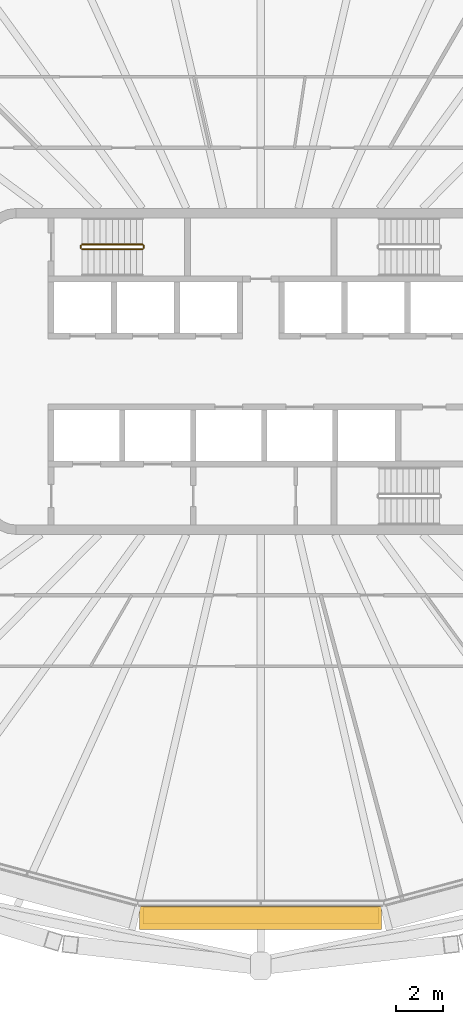
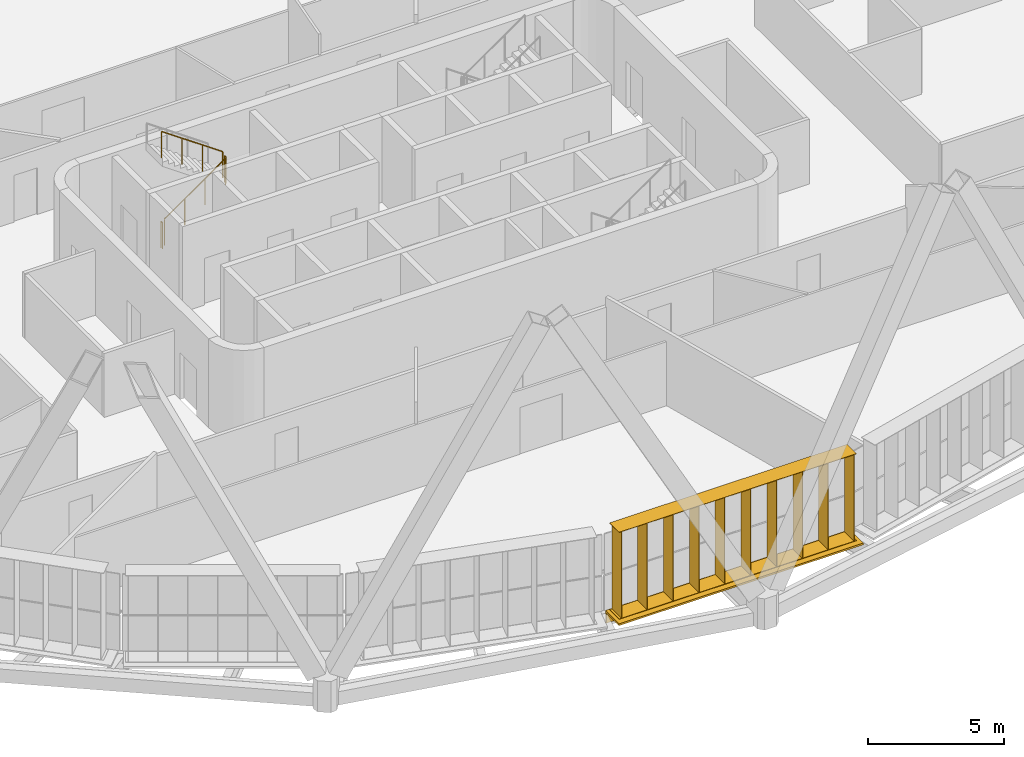
# One storey, part 19 of 23: 4 railings, 2 shading devices.
"""IFC4 building model written with IfcOpenShell, lengths in metres."""

from ifc_helpers import new_model, si_unit, direction, frame, origin, origin_2d, place, context, subcontext, project, spatial, rectangle, circle, extrude, material, type_object, element, save


model = new_model("IFC4")

# Units and contexts
model_context = context("Model", 3, precision=1e-05, world=origin(), true_north=direction((0.0, 1.0)))
body_context = subcontext(model_context, "Body", "Model", "MODEL_VIEW")
ifc_project = project(units=[si_unit("LENGTHUNIT", "METRE"), si_unit("AREAUNIT", "SQUARE_METRE"), si_unit("VOLUMEUNIT", "CUBIC_METRE"), si_unit("PLANEANGLEUNIT", "RADIAN"), si_unit("MASSUNIT", "GRAM", prefix="KILO")], contexts=[model_context])

# Site, building, storey
site_placement = place(None, origin())
site = spatial("IfcSite", under=ifc_project, at=site_placement, CompositionType="ELEMENT")
building_placement = place(site_placement, origin())
building = spatial("IfcBuilding", under=site, at=building_placement, Name="Sahrelin Media Tower", CompositionType="ELEMENT")
storey_placement = place(building_placement, frame((0.0, 0.0, 217.60009765625)))
storey = spatial("IfcBuildingStorey", under=building, at=storey_placement, Name="L46", CompositionType="ELEMENT", Elevation=217.60009765625)

# Shading device
ifc_material_1 = material(Name="Champagne anodised aluminium 6063-T6", Category="aluminium")
shading_device_type_1 = type_object("IfcShadingDeviceType", Name="Fin cassette", PredefinedType="USERDEFINED", material=ifc_material_1)
placement = place(storey_placement, frame((0.0, -22.9521484375, 0.0), z_axis=(0.0, 0.0, 1.0), x_axis=(-1.0, 0.0, 0.0)))
element("IfcShadingDevice", 1, at=placement, inside=storey, type_object=shading_device_type_1, Name="L46:FIN:L46-18", ObjectType="FIN", PredefinedType="USERDEFINED", context=body_context, shape_type="SweptSolid", body=[
    extrude(rectangle(XDim=10.10009765625, YDim=0.699951171875, at=origin_2d()), frame((0.0, 0.419921875, 0.0)), (0.0, 0.0, 1.0), 0.02001953125),
    extrude(rectangle(XDim=10.10009765625, YDim=0.699951171875, at=origin_2d()), frame((0.0, 0.419921875, 3.89990234375)), (0.0, 0.0, 1.0), 0.02001953125),
    extrude(rectangle(XDim=0.02001953125, YDim=0.699951171875, at=origin_2d()), frame((-4.949951171875, 0.419921875, 0.010009765625), z_axis=(0.0, 0.0, 1.0), x_axis=(1.0, 0.0, 0.0)), (0.0, 0.0, 1.0), 3.89990234375),
    extrude(rectangle(XDim=0.02001953125, YDim=0.699951171875, at=origin_2d()), frame((-3.85009765625, 0.419921875, 0.010009765625), z_axis=(0.0, 0.0, 1.0), x_axis=(1.0, 0.0, 0.0)), (0.0, 0.0, 1.0), 3.89990234375),
    extrude(rectangle(XDim=0.02001953125, YDim=0.699951171875, at=origin_2d()), frame((-2.75, 0.419921875, 0.010009765625), z_axis=(0.0, 0.0, 1.0), x_axis=(1.0, 0.0, 0.0)), (0.0, 0.0, 1.0), 3.89990234375),
    extrude(rectangle(XDim=0.02001953125, YDim=0.699951171875, at=origin_2d()), frame((-1.64990234375, 0.419921875, 0.010009765625), z_axis=(0.0, 0.0, 1.0), x_axis=(1.0, 0.0, 0.0)), (0.0, 0.0, 1.0), 3.89990234375),
    extrude(rectangle(XDim=0.02001953125, YDim=0.699951171875, at=origin_2d()), frame((-0.550048828125, 0.419921875, 0.010009765625), z_axis=(0.0, 0.0, 1.0), x_axis=(1.0, 0.0, 0.0)), (0.0, 0.0, 1.0), 3.89990234375),
    extrude(rectangle(XDim=0.02001953125, YDim=0.699951171875, at=origin_2d()), frame((0.550048828125, 0.419921875, 0.010009765625), z_axis=(0.0, 0.0, 1.0), x_axis=(1.0, 0.0, 0.0)), (0.0, 0.0, 1.0), 3.89990234375),
    extrude(rectangle(XDim=0.02001953125, YDim=0.699951171875, at=origin_2d()), frame((1.64990234375, 0.419921875, 0.010009765625), z_axis=(0.0, 0.0, 1.0), x_axis=(1.0, 0.0, 0.0)), (0.0, 0.0, 1.0), 3.89990234375),
    extrude(rectangle(XDim=0.02001953125, YDim=0.699951171875, at=origin_2d()), frame((2.75, 0.419921875, 0.010009765625), z_axis=(0.0, 0.0, 1.0), x_axis=(1.0, 0.0, 0.0)), (0.0, 0.0, 1.0), 3.89990234375),
    extrude(rectangle(XDim=0.02001953125, YDim=0.699951171875, at=origin_2d()), frame((3.85009765625, 0.419921875, 0.010009765625), z_axis=(0.0, 0.0, 1.0), x_axis=(1.0, 0.0, 0.0)), (0.0, 0.0, 1.0), 3.89990234375),
    extrude(rectangle(XDim=0.02001953125, YDim=0.699951171875, at=origin_2d()), frame((4.949951171875, 0.419921875, 0.010009765625), z_axis=(0.0, 0.0, 1.0), x_axis=(1.0, 0.0, 0.0)), (0.0, 0.0, 1.0), 3.89990234375),
])

# Railings
ifc_material_2 = material(Name="Steel S355", Category="steel")
railing_type = type_object("IfcRailingType", Name="Stair guard 1200", PredefinedType="GUARDRAIL", material=ifc_material_2)
railing_1_placement = place(storey_placement, frame((-7.675048828125, 5.25, 0.181640625)))
element("IfcRailing", 2, at=railing_1_placement, inside=storey, type_object=railing_type, Name="L46 ST1 stair guard 1", PredefinedType="GUARDRAIL", context=body_context, shape_type="SweptSolid", body=[
    extrude(circle(Radius=0.02392578125, at=origin_2d()), frame((0.0, 0.0, 1.17578125), z_axis=(0.819484887739, 0.0, 0.573100792852), x_axis=(0.0, 1.0, 0.0)), (0.0, 0.0, 1.0), 3.1728515625),
    extrude(circle(Radius=0.02099609375, at=origin_2d()), origin(), (0.0, 0.0, 1.0), 1.15185546875),
    extrude(circle(Radius=0.02099609375, at=origin_2d()), frame((0.86669921875, 0.0, 0.606201171875)), (0.0, 0.0, 1.0), 1.15185546875),
    extrude(circle(Radius=0.02099609375, at=origin_2d()), frame((1.7333984375, 0.0, 1.212158203125)), (0.0, 0.0, 1.0), 1.15185546875),
    extrude(circle(Radius=0.02099609375, at=origin_2d()), frame((2.60009765625, 0.0, 1.818359375)), (0.0, 0.0, 1.0), 1.15185546875),
])
railing_2_placement = place(storey_placement, frame((-5.02490234375, 5.300048828125, 2.0)))
element("IfcRailing", 3, at=railing_2_placement, inside=storey, type_object=railing_type, Name="L46 ST1 stair guard 2", PredefinedType="GUARDRAIL", context=body_context, shape_type="SweptSolid", body=[
    extrude(circle(Radius=0.02392578125, at=origin_2d()), frame((0.0, 0.0, 1.17578125), z_axis=(0.0, 1.0, 0.0), x_axis=(-1.0, 0.0, 0.0)), (0.0, 0.0, 1.0), 0.099853515625),
    extrude(circle(Radius=0.02099609375, at=origin_2d()), origin(), (0.0, 0.0, 1.0), 1.15185546875),
    extrude(circle(Radius=0.02099609375, at=origin_2d()), frame((0.0, 0.099853515625, 0.0)), (0.0, 0.0, 1.0), 1.15185546875),
])
railing_3_placement = place(storey_placement, frame((-5.074951171875, 5.449951171875, 2.181640625)))
element("IfcRailing", 4, at=railing_3_placement, inside=storey, type_object=railing_type, Name="L46 ST1 stair guard 3", PredefinedType="GUARDRAIL", context=body_context, shape_type="SweptSolid", body=[
    extrude(circle(Radius=0.02392578125, at=origin_2d()), frame((0.0, 0.0, 1.17578125), z_axis=(-0.819484887739, 0.0, 0.573100792852), x_axis=(0.0, -1.0, 0.0)), (0.0, 0.0, 1.0), 3.1728515625),
    extrude(circle(Radius=0.02099609375, at=origin_2d()), origin(), (0.0, 0.0, 1.0), 1.15185546875),
    extrude(circle(Radius=0.02099609375, at=origin_2d()), frame((-0.86669921875, 0.0, 0.606201171875)), (0.0, 0.0, 1.0), 1.15185546875),
    extrude(circle(Radius=0.02099609375, at=origin_2d()), frame((-1.7333984375, 0.0, 1.212158203125)), (0.0, 0.0, 1.0), 1.15185546875),
    extrude(circle(Radius=0.02099609375, at=origin_2d()), frame((-2.60009765625, 0.0, 1.818359375)), (0.0, 0.0, 1.0), 1.15185546875),
])
railing_4_placement = place(storey_placement, frame((-7.72509765625, 5.300048828125, 0.0)))
element("IfcRailing", 5, at=railing_4_placement, inside=storey, type_object=railing_type, Name="L46 ST1 stair guard 4", PredefinedType="GUARDRAIL", context=body_context, shape_type="SweptSolid", body=[
    extrude(circle(Radius=0.02392578125, at=origin_2d()), frame((0.0, 0.0, 1.17578125), z_axis=(0.0, 1.0, 0.0), x_axis=(-1.0, 0.0, 0.0)), (0.0, 0.0, 1.0), 0.099853515625),
    extrude(circle(Radius=0.02099609375, at=origin_2d()), origin(), (0.0, 0.0, 1.0), 1.15185546875),
    extrude(circle(Radius=0.02099609375, at=origin_2d()), frame((0.0, 0.099853515625, 0.0)), (0.0, 0.0, 1.0), 1.15185546875),
])

# Shading device
shading_device_type_2 = type_object("IfcShadingDeviceType", Name="Sunshade band", PredefinedType="USERDEFINED", material=ifc_material_1)
element("IfcShadingDevice", 6, at=placement, inside=storey, type_object=shading_device_type_2, Name="L46:SUN:L46-18", ObjectType="SUNSHADE", PredefinedType="USERDEFINED", context=body_context, shape_type="SweptSolid", body=[
    extrude(rectangle(XDim=10.3916015625, YDim=0.050048828125, at=origin_2d()), frame((0.0, 0.044921875, -0.55126953125)), (0.0, 0.0, 1.0), 0.471435546875),
    extrude(rectangle(XDim=10.3916015625, YDim=1.0, at=origin_2d()), frame((0.0, 0.52001953125, -0.080078125)), (0.0, 0.0, 1.0), 0.080078125),
    extrude(rectangle(XDim=0.10009765625, YDim=0.074951171875, at=origin_2d()), frame((-5.095703125, -0.017578125, -0.47021484375)), (0.0, 0.0, 1.0), 0.300048828125),
    extrude(rectangle(XDim=0.10009765625, YDim=0.074951171875, at=origin_2d()), frame((-3.397216796875, -0.017578125, -0.47021484375)), (0.0, 0.0, 1.0), 0.300048828125),
    extrude(rectangle(XDim=0.10009765625, YDim=0.074951171875, at=origin_2d()), frame((-1.698486328125, -0.017578125, -0.47021484375)), (0.0, 0.0, 1.0), 0.300048828125),
    extrude(rectangle(XDim=0.10009765625, YDim=0.074951171875, at=origin_2d()), frame((0.0, -0.017578125, -0.47021484375)), (0.0, 0.0, 1.0), 0.300048828125),
    extrude(rectangle(XDim=0.10009765625, YDim=0.074951171875, at=origin_2d()), frame((1.698486328125, -0.017578125, -0.47021484375)), (0.0, 0.0, 1.0), 0.300048828125),
    extrude(rectangle(XDim=0.10009765625, YDim=0.074951171875, at=origin_2d()), frame((3.397216796875, -0.017578125, -0.47021484375)), (0.0, 0.0, 1.0), 0.300048828125),
    extrude(rectangle(XDim=0.10009765625, YDim=0.074951171875, at=origin_2d()), frame((5.095703125, -0.017578125, -0.47021484375)), (0.0, 0.0, 1.0), 0.300048828125),
])

save(model, "model.ifc")
